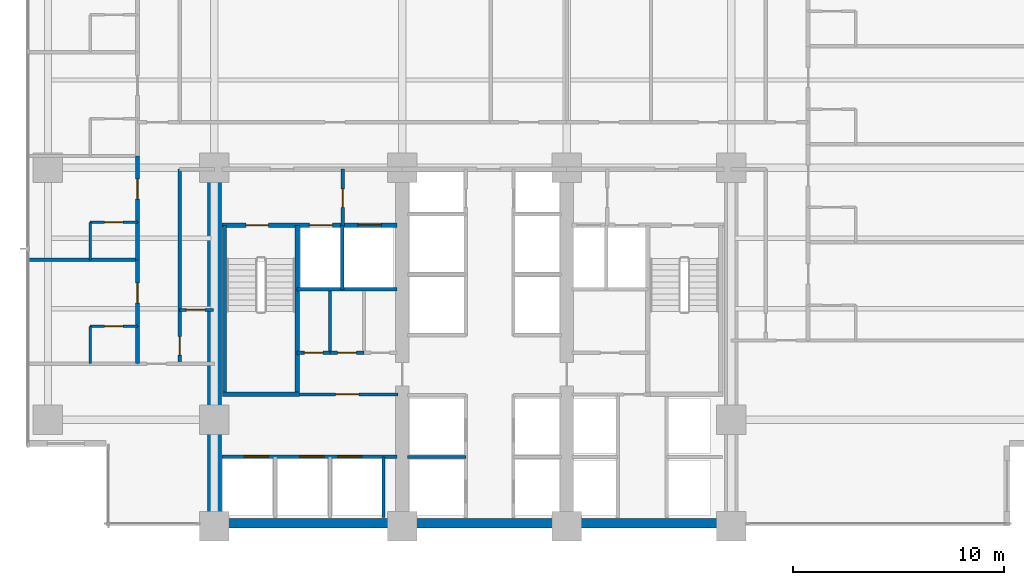
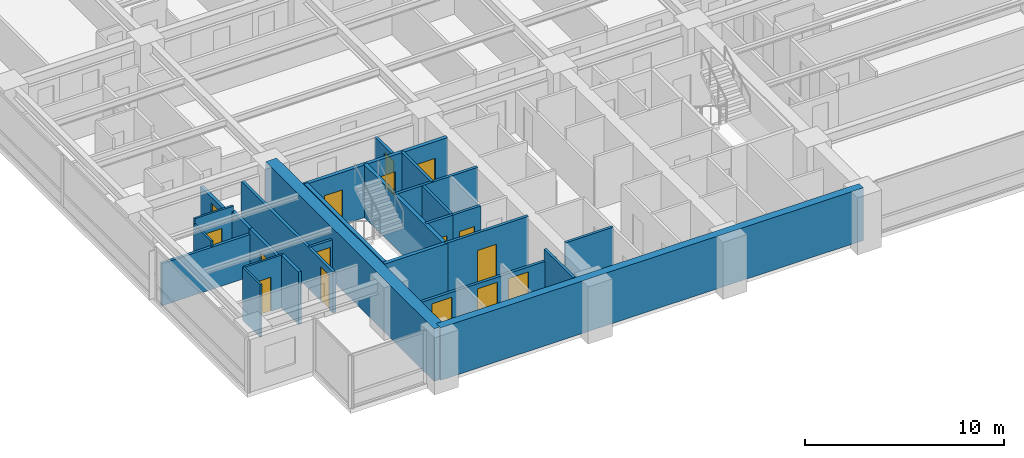
# One storey, part 7 of 17: 27 walls, 16 doors, 16 openings.
"""IFC4 building model written with IfcOpenShell, lengths in metres."""

from ifc_helpers import new_model, si_unit, direction, frame, frame_2d, origin, place, context, subcontext, project, spatial, rectangle, extrude, material, layer, layer_set, type_object, element, fill, save


model = new_model("IFC4")

# Units and contexts
model_context = context("Model", 3, precision=1e-05, world=origin(), true_north=direction((0.0, 1.0)))
body_context = subcontext(model_context, "Body", "Model", "MODEL_VIEW")
ifc_project = project(units=[si_unit("LENGTHUNIT", "METRE"), si_unit("AREAUNIT", "SQUARE_METRE"), si_unit("VOLUMEUNIT", "CUBIC_METRE"), si_unit("PLANEANGLEUNIT", "RADIAN"), si_unit("MASSUNIT", "GRAM", prefix="KILO")], contexts=[model_context])

# Site, building, storey
site_placement = place(None, origin())
site = spatial("IfcSite", under=ifc_project, at=site_placement, CompositionType="ELEMENT")
building_placement = place(site_placement, origin())
building = spatial("IfcBuilding", under=site, at=building_placement, Name="Qalmaran Belvedere Hotel", CompositionType="ELEMENT")
storey_placement = place(building_placement, frame((0.0, 0.0, 61.39990234375)))
storey = spatial("IfcBuildingStorey", under=building, at=storey_placement, Name="L15", CompositionType="ELEMENT", Elevation=61.39990234375)

# Walls
ifc_material_1 = material(Name="Concrete C60/75", Category="concrete")
ifc_layer_1 = layer(ifc_material_1, 0.64990234375, Name="Concrete C60/75")
ifc_layer_set_1 = layer_set([ifc_layer_1], Name="Concrete C60/75")
wall_type_1 = type_object("IfcWallType", Name="WL-CORE-650-C60", PredefinedType="SHEAR", material=ifc_layer_set_1)
wall_1_placement = place(storey_placement, frame((20.300048828125, 3.5, 0.0), z_axis=(0.0, 0.0, 1.0), x_axis=(0.0, 1.0, 0.0)))
element("IfcWall", 1, at=wall_1_placement, inside=storey, type_object=wall_type_1, Name="L15 West Core Shear Wall", PredefinedType="SHEAR", context=body_context, shape_type="SweptSolid", body=[
    extrude(rectangle(XDim=16.89990234375, YDim=0.64990234375, at=frame_2d((8.449951171875, 0.0))), origin(), (0.0, 0.0, 1.0), 3.22021484375),
])
ifc_material_2 = material(Name="Concrete C50/60", Category="concrete")
ifc_layer_2 = layer(ifc_material_2, 0.43994140625, Name="Concrete C50/60")
ifc_layer_set_2 = layer_set([ifc_layer_2], Name="Concrete C50/60")
wall_type_2 = type_object("IfcWallType", Name="WL-CORES-440-EXT", PredefinedType="SHEAR", material=ifc_layer_set_2)
wall_2_placement = place(storey_placement, frame((20.300048828125, 3.6298828125, 0.0), z_axis=(0.0, 0.0, 1.0), x_axis=(1.0, 0.0, 0.0)))
element("IfcWall", 2, at=wall_2_placement, inside=storey, type_object=wall_type_2, Name="L15 South Core Shear Wall", PredefinedType="SHEAR", context=body_context, shape_type="SweptSolid", body=[
    extrude(rectangle(XDim=24.5, YDim=0.43994140625, at=frame_2d((12.25, 0.0))), origin(), (0.0, 0.0, 1.0), 3.22021484375),
])

# Wall, opening, door
ifc_material_3 = material(Name="Moisture-Resistant Gypsum")
ifc_layer_3 = layer(ifc_material_3, 0.1201171875, Name="Moisture-Resistant Gypsum")
ifc_layer_set_3 = layer_set([ifc_layer_3], Name="Moisture-Resistant Gypsum")
wall_type_3 = type_object("IfcWallType", Name="WL-INT-120-BATH", PredefinedType="PARTITIONING", material=ifc_layer_set_3)
wall_3_placement = place(storey_placement, frame((14.39990234375, 12.969970703125, 0.0), z_axis=(0.0, 0.0, 1.0), x_axis=(1.0, 0.0, 0.0)))
wall_3 = element("IfcWall", 3, at=wall_3_placement, inside=storey, type_object=wall_type_3, Name="L15 Partition WL-L15-WBN00", PredefinedType="PARTITIONING", context=body_context, shape_type="SweptSolid", body=[
    extrude(rectangle(XDim=2.25, YDim=0.1201171875, at=frame_2d((1.125, 0.0))), origin(), (0.0, 0.0, 1.0), 3.22021484375),
])
opening_1_placement = place(wall_3_placement, frame((1.56494140625, 0.0, 0.0), z_axis=(0.0, 0.0, 1.0), x_axis=(-1.0, 0.0, 0.0)))
opening_1 = element("IfcOpeningElement", 4, at=opening_1_placement, cuts=wall_3, Name="Opening D-BATH", PredefinedType="OPENING", context=body_context, shape_type="SweptSolid", body=[
    extrude(rectangle(XDim=0.8798828125, YDim=2.080078125, at=frame_2d((0.43994140625, 1.0400390625))), frame((0.0, 0.070068359375, 0.0), z_axis=(0.0, -1.0, 0.0), x_axis=(1.0, 0.0, 0.0)), (0.0, 0.0, 1.0), 0.14013671875),
])
ifc_material_4 = material(Name="Engineered Oak Veneer")
door_type_1 = type_object("IfcDoorType", Name="DR-INT-BATH-880X2080", OperationType="NOTDEFINED", PredefinedType="DOOR", material=ifc_material_4)
door_1_placement = place(opening_1_placement, origin())
door_1 = element("IfcDoor", 5, at=door_1_placement, inside=storey, type_object=door_type_1, Name="L15 W Ensuite Door 01", OperationType="SINGLE_SWING_RIGHT", OverallHeight=2.080078125, OverallWidth=0.8798828125, PredefinedType="DOOR", context=body_context, shape_type="SweptSolid", body=[
    extrude(rectangle(XDim=0.8798828125, YDim=2.080078125, at=frame_2d((0.43994140625, 1.0400390625))), frame((0.0, 0.02490234375, 0.0), z_axis=(0.0, -1.0, 0.0), x_axis=(1.0, 0.0, 0.0)), (0.0, 0.0, 1.0), 0.050048828125),
])
fill(opening_1, door_1)

# Wall
wall_4_placement = place(storey_placement, frame((14.39990234375, 11.199951171875, 0.0), z_axis=(0.0, 0.0, 1.0), x_axis=(0.0, 1.0, 0.0)))
element("IfcWall", 6, at=wall_4_placement, inside=storey, type_object=wall_type_3, Name="L15 Partition WL-L15-WBS00", PredefinedType="PARTITIONING", context=body_context, shape_type="SweptSolid", body=[
    extrude(rectangle(XDim=1.77001953125, YDim=0.1201171875, at=frame_2d((0.885009765625, 0.0))), origin(), (0.0, 0.0, 1.0), 3.22021484375),
])

# Wall, opening, door
wall_5_placement = place(storey_placement, frame((14.39990234375, 17.89501953125, 0.0), z_axis=(0.0, 0.0, 1.0), x_axis=(1.0, 0.0, 0.0)))
wall_5 = element("IfcWall", 7, at=wall_5_placement, inside=storey, type_object=wall_type_3, Name="L15 Partition WL-L15-WBN01", PredefinedType="PARTITIONING", context=body_context, shape_type="SweptSolid", body=[
    extrude(rectangle(XDim=2.25, YDim=0.1201171875, at=frame_2d((1.125, 0.0))), origin(), (0.0, 0.0, 1.0), 3.22021484375),
])
opening_2_placement = place(wall_5_placement, frame((1.56494140625, 0.0, 0.0), z_axis=(0.0, 0.0, 1.0), x_axis=(-1.0, 0.0, 0.0)))
opening_2 = element("IfcOpeningElement", 8, at=opening_2_placement, cuts=wall_5, Name="Opening D-BATH", PredefinedType="OPENING", context=body_context, shape_type="SweptSolid", body=[
    extrude(rectangle(XDim=0.8798828125, YDim=2.080078125, at=frame_2d((0.43994140625, 1.0400390625))), frame((0.0, 0.070068359375, 0.0), z_axis=(0.0, -1.0, 0.0), x_axis=(1.0, 0.0, 0.0)), (0.0, 0.0, 1.0), 0.14013671875),
])
door_2_placement = place(opening_2_placement, origin())
door_2 = element("IfcDoor", 9, at=door_2_placement, inside=storey, type_object=door_type_1, Name="L15 W Ensuite Door 02", OperationType="SINGLE_SWING_RIGHT", OverallHeight=2.080078125, OverallWidth=0.8798828125, PredefinedType="DOOR", context=body_context, shape_type="SweptSolid", body=[
    extrude(rectangle(XDim=0.8798828125, YDim=2.080078125, at=frame_2d((0.43994140625, 1.0400390625))), frame((0.0, 0.02490234375, 0.0), z_axis=(0.0, -1.0, 0.0), x_axis=(1.0, 0.0, 0.0)), (0.0, 0.0, 1.0), 0.050048828125),
])
fill(opening_2, door_2)

# Wall
wall_6_placement = place(storey_placement, frame((14.39990234375, 16.125, 0.0), z_axis=(0.0, 0.0, 1.0), x_axis=(0.0, 1.0, 0.0)))
element("IfcWall", 10, at=wall_6_placement, inside=storey, type_object=wall_type_3, Name="L15 Partition WL-L15-WBS01", PredefinedType="PARTITIONING", context=body_context, shape_type="SweptSolid", body=[
    extrude(rectangle(XDim=1.77001953125, YDim=0.1201171875, at=frame_2d((0.885009765625, 0.0))), origin(), (0.0, 0.0, 1.0), 2.902099609375),
])

# Wall, opening, door
ifc_material_5 = material(Name="Gypsum Stud Partition")
ifc_layer_4 = layer(ifc_material_5, 0.139892578125, Name="Gypsum Stud Partition")
ifc_layer_set_4 = layer_set([ifc_layer_4], Name="Gypsum Stud Partition")
wall_type_4 = type_object("IfcWallType", Name="WL-INT-140-NR", PredefinedType="PARTITIONING", material=ifc_layer_set_4)
wall_7_placement = place(storey_placement, frame((18.64990234375, 13.75, 0.0), z_axis=(0.0, 0.0, 1.0), x_axis=(1.0, 0.0, 0.0)))
wall_7 = element("IfcWall", 11, at=wall_7_placement, inside=storey, type_object=wall_type_4, Name="L15 Partition WL-L15-WCLSUB", PredefinedType="PARTITIONING", context=body_context, shape_type="SweptSolid", body=[
    extrude(rectangle(XDim=1.60009765625, YDim=0.139892578125, at=frame_2d((0.800048828125, 0.0))), origin(), (0.0, 0.0, 1.0), 2.510009765625),
])
opening_3_placement = place(wall_7_placement, frame((1.193115234375, 0.0, 0.0), z_axis=(0.0, 0.0, 1.0), x_axis=(-1.0, 0.0, 0.0)))
opening_3 = element("IfcOpeningElement", 12, at=opening_3_placement, cuts=wall_7, Name="Opening D-BATH", PredefinedType="OPENING", context=body_context, shape_type="SweptSolid", body=[
    extrude(rectangle(XDim=0.8798828125, YDim=2.080078125, at=frame_2d((0.43994140625, 1.0400390625))), frame((0.0, 0.080078125, 0.0), z_axis=(0.0, -1.0, 0.0), x_axis=(1.0, 0.0, 0.0)), (0.0, 0.0, 1.0), 0.159912109375),
])
door_3_placement = place(opening_3_placement, origin())
door_3 = element("IfcDoor", 13, at=door_3_placement, inside=storey, type_object=door_type_1, Name="L15 Closet Alcove Door", OperationType="SINGLE_SWING_LEFT", OverallHeight=2.080078125, OverallWidth=0.8798828125, PredefinedType="DOOR", context=body_context, shape_type="SweptSolid", body=[
    extrude(rectangle(XDim=0.8798828125, YDim=2.080078125, at=frame_2d((0.43994140625, 1.0400390625))), frame((0.0, 0.02490234375, 0.0), z_axis=(0.0, -1.0, 0.0), x_axis=(1.0, 0.0, 0.0)), (0.0, 0.0, 1.0), 0.050048828125),
])
fill(opening_3, door_3)

# Walls
ifc_layer_5 = layer(ifc_material_5, 0.14990234375, Name="Gypsum Stud Partition")
ifc_layer_set_5 = layer_set([ifc_layer_5], Name="Gypsum Stud Partition")
wall_type_5 = type_object("IfcWallType", Name="WL-INT-150-EI120", PredefinedType="PARTITIONING", material=ifc_layer_set_5)
wall_8_placement = place(storey_placement, frame((26.360107421875, 14.719970703125, 0.0), z_axis=(0.0, 0.0, 1.0), x_axis=(0.0, 1.0, 0.0)))
element("IfcWall", 14, at=wall_8_placement, inside=storey, type_object=wall_type_5, Name="L15 Partition WL-FF1M-L15", PredefinedType="PARTITIONING", context=body_context, shape_type="SweptSolid", body=[
    extrude(rectangle(XDim=3.0400390625, YDim=0.14990234375, at=frame_2d((1.52001953125, 0.0))), origin(), (0.0, 0.0, 1.0), 3.22021484375),
])
wall_9_placement = place(storey_placement, frame((28.320068359375, 3.89990234375, 0.0), z_axis=(0.0, 0.0, 1.0), x_axis=(0.0, 1.0, 0.0)))
element("IfcWall", 15, at=wall_9_placement, inside=storey, type_object=wall_type_5, Name="L15 Partition WL-POM3-L15", PredefinedType="PARTITIONING", context=body_context, shape_type="SweptSolid", body=[
    extrude(rectangle(XDim=2.880126953125, YDim=0.14990234375, at=frame_2d((1.43994140625, 0.0))), origin(), (0.0, 0.0, 1.0), 3.22021484375),
])
wall_10_placement = place(storey_placement, frame((29.449951171875, 6.780029296875, 0.0), z_axis=(0.0, 0.0, 1.0), x_axis=(1.0, 0.0, 0.0)))
element("IfcWall", 16, at=wall_10_placement, inside=storey, type_object=wall_type_5, Name="L15 Partition WL-PLW-L15-67", PredefinedType="PARTITIONING", context=body_context, shape_type="SweptSolid", body=[
    extrude(rectangle(XDim=2.77001953125, YDim=0.14990234375, at=frame_2d((1.385009765625, 0.0))), origin(), (0.0, 0.0, 1.0), 3.22021484375),
])
ifc_layer_6 = layer(ifc_material_5, 0.14990234375, Name="Gypsum Stud Partition")
ifc_layer_set_6 = layer_set([ifc_layer_6], Name="Gypsum Stud Partition")
wall_type_6 = type_object("IfcWallType", Name="WL-INT-150-EI60", PredefinedType="PARTITIONING", material=ifc_layer_set_6)
wall_11_placement = place(storey_placement, frame((25.781005859375, 11.719970703125, 0.0), z_axis=(0.0, 0.0, 1.0), x_axis=(0.0, 1.0, 0.0)))
element("IfcWall", 17, at=wall_11_placement, inside=storey, type_object=wall_type_6, Name="L15 Partition WL-L15-KWV1", PredefinedType="PARTITIONING", context=body_context, shape_type="SweptSolid", body=[
    extrude(rectangle(XDim=2.929931640625, YDim=0.14990234375, at=frame_2d((1.46484375, 0.0))), origin(), (0.0, 0.0, 1.0), 3.22021484375),
])

# Wall, opening, door
ifc_layer_7 = layer(ifc_material_5, 0.159912109375, Name="Gypsum Stud Partition")
ifc_layer_set_7 = layer_set([ifc_layer_7], Name="Gypsum Stud Partition")
wall_type_7 = type_object("IfcWallType", Name="WL-INT-160-EI120", PredefinedType="PARTITIONING", material=ifc_layer_set_7)
wall_12_placement = place(storey_placement, frame((26.3798828125, 17.760009765625, 0.0), z_axis=(0.0, 0.0, 1.0), x_axis=(0.0, 1.0, 0.0)))
wall_12 = element("IfcWall", 18, at=wall_12_placement, inside=storey, type_object=wall_type_7, Name="L15 Partition WL-FFSV1-L15", PredefinedType="PARTITIONING", context=body_context, shape_type="SweptSolid", body=[
    extrude(rectangle(XDim=2.659912109375, YDim=0.159912109375, at=frame_2d((1.330078125, 0.0))), origin(), (0.0, 0.0, 1.0), 2.510009765625),
])
opening_4_placement = place(wall_12_placement, frame((0.85009765625, 0.0, 0.0)))
opening_4 = element("IfcOpeningElement", 19, at=opening_4_placement, cuts=wall_12, Name="Opening FD60B", PredefinedType="OPENING", context=body_context, shape_type="SweptSolid", body=[
    extrude(rectangle(XDim=0.8798828125, YDim=2.080078125, at=frame_2d((0.43994140625, 1.0400390625))), frame((0.0, 0.08984375, 0.0), z_axis=(0.0, -1.0, 0.0), x_axis=(1.0, 0.0, 0.0)), (0.0, 0.0, 1.0), 0.179931640625),
])
ifc_material_6 = material(Name="Steel S355JR", Category="steel")
door_type_2 = type_object("IfcDoorType", Name="DR-FD60B-880X2080", OperationType="NOTDEFINED", PredefinedType="DOOR", material=ifc_material_6)
door_4_placement = place(opening_4_placement, origin())
door_4 = element("IfcDoor", 20, at=door_4_placement, inside=storey, type_object=door_type_2, Name="L15 Service Lobby West Door", OperationType="SINGLE_SWING_LEFT", OverallHeight=2.080078125, OverallWidth=0.8798828125, PredefinedType="DOOR", context=body_context, shape_type="SweptSolid", body=[
    extrude(rectangle(XDim=0.8798828125, YDim=2.080078125, at=frame_2d((0.43994140625, 1.0400390625))), frame((0.0, 0.02490234375, 0.0), z_axis=(0.0, -1.0, 0.0), x_axis=(1.0, 0.0, 0.0)), (0.0, 0.0, 1.0), 0.050048828125),
])
fill(opening_4, door_4)

# Wall
wall_13_placement = place(storey_placement, frame((24.219970703125, 14.719970703125, 0.0), z_axis=(0.0, 0.0, 1.0), x_axis=(1.0, 0.0, 0.0)))
element("IfcWall", 21, at=wall_13_placement, inside=storey, type_object=wall_type_7, Name="L15 Partition WL-FF1S-L15", PredefinedType="PARTITIONING", context=body_context, shape_type="SweptSolid", body=[
    extrude(rectangle(XDim=4.72998046875, YDim=0.159912109375, at=frame_2d((2.364990234375, 0.0))), origin(), (0.0, 0.0, 1.0), 3.22021484375),
])

# Wall, openings, doors
wall_14_placement = place(storey_placement, frame((20.64990234375, 6.780029296875, 0.0), z_axis=(0.0, 0.0, 1.0), x_axis=(1.0, 0.0, 0.0)))
wall_14 = element("IfcWall", 22, at=wall_14_placement, inside=storey, type_object=wall_type_7, Name="L15 Partition WL-POS-L15", PredefinedType="PARTITIONING", context=body_context, shape_type="SweptSolid", body=[
    extrude(rectangle(XDim=8.300048828125, YDim=0.159912109375, at=frame_2d((4.14990234375, 0.0))), origin(), (0.0, 0.0, 1.0), 2.510009765625),
])
opening_5_placement = place(wall_14_placement, frame((3.69482421875, 0.0, 0.0)))
opening_5 = element("IfcOpeningElement", 23, at=opening_5_placement, cuts=wall_14, Name="Opening LD-PO", PredefinedType="OPENING", context=body_context, shape_type="SweptSolid", body=[
    extrude(rectangle(XDim=1.14990234375, YDim=2.199951171875, at=frame_2d((0.574951171875, 1.10009765625))), frame((0.0, 0.08984375, 0.0), z_axis=(0.0, -1.0, 0.0), x_axis=(1.0, 0.0, 0.0)), (0.0, 0.0, 1.0), 0.179931640625),
])
opening_6_placement = place(wall_14_placement, frame((5.4921875, 0.0, 0.0)))
opening_6 = element("IfcOpeningElement", 24, at=opening_6_placement, cuts=wall_14, Name="Opening LD-PO", PredefinedType="OPENING", context=body_context, shape_type="SweptSolid", body=[
    extrude(rectangle(XDim=1.14990234375, YDim=2.199951171875, at=frame_2d((0.574951171875, 1.10009765625))), frame((0.0, 0.08984375, 0.0), z_axis=(0.0, -1.0, 0.0), x_axis=(1.0, 0.0, 0.0)), (0.0, 0.0, 1.0), 0.179931640625),
])
opening_7_placement = place(wall_14_placement, frame((1.058837890625, 0.0, 0.0)))
opening_7 = element("IfcOpeningElement", 25, at=opening_7_placement, cuts=wall_14, Name="Opening LD-PO", PredefinedType="OPENING", context=body_context, shape_type="SweptSolid", body=[
    extrude(rectangle(XDim=1.14990234375, YDim=2.199951171875, at=frame_2d((0.574951171875, 1.10009765625))), frame((0.0, 0.08984375, 0.0), z_axis=(0.0, -1.0, 0.0), x_axis=(1.0, 0.0, 0.0)), (0.0, 0.0, 1.0), 0.179931640625),
])
ifc_material_7 = material(Name="Anodised Bronze Aluminium", Category="aluminium")
door_type_3 = type_object("IfcDoorType", Name="DR-LIFT-PO-1150X2200", OperationType="DOUBLE_DOOR_SLIDING", PredefinedType="DOOR", material=ifc_material_7)
door_5_placement = place(opening_5_placement, origin())
door_5 = element("IfcDoor", 26, at=door_5_placement, inside=storey, type_object=door_type_3, Name="L15 PO1 Shuttle Landing Door", OperationType="DOUBLE_DOOR_SLIDING", OverallHeight=2.199951171875, OverallWidth=1.14990234375, PredefinedType="DOOR", context=body_context, shape_type="SweptSolid", body=[
    extrude(rectangle(XDim=1.14990234375, YDim=2.199951171875, at=frame_2d((0.574951171875, 1.10009765625))), frame((0.0, 0.02490234375, 0.0), z_axis=(0.0, -1.0, 0.0), x_axis=(1.0, 0.0, 0.0)), (0.0, 0.0, 1.0), 0.050048828125),
])
fill(opening_5, door_5)
door_6_placement = place(opening_6_placement, origin())
door_6 = element("IfcDoor", 27, at=door_6_placement, inside=storey, type_object=door_type_3, Name="L15 PO2 Shuttle Landing Door", OperationType="DOUBLE_DOOR_SLIDING", OverallHeight=2.199951171875, OverallWidth=1.14990234375, PredefinedType="DOOR", context=body_context, shape_type="SweptSolid", body=[
    extrude(rectangle(XDim=1.14990234375, YDim=2.199951171875, at=frame_2d((0.574951171875, 1.10009765625))), frame((0.0, 0.02490234375, 0.0), z_axis=(0.0, -1.0, 0.0), x_axis=(1.0, 0.0, 0.0)), (0.0, 0.0, 1.0), 0.050048828125),
])
fill(opening_6, door_6)
door_7_placement = place(opening_7_placement, origin())
door_7 = element("IfcDoor", 28, at=door_7_placement, inside=storey, type_object=door_type_3, Name="L15 PO3 Shuttle Landing Door", OperationType="DOUBLE_DOOR_SLIDING", OverallHeight=2.199951171875, OverallWidth=1.14990234375, PredefinedType="DOOR", context=body_context, shape_type="SweptSolid", body=[
    extrude(rectangle(XDim=1.14990234375, YDim=2.199951171875, at=frame_2d((0.574951171875, 1.10009765625))), frame((0.0, 0.02490234375, 0.0), z_axis=(0.0, -1.0, 0.0), x_axis=(1.0, 0.0, 0.0)), (0.0, 0.0, 1.0), 0.050048828125),
])
fill(opening_7, door_7)

# Wall, opening, door
wall_15_placement = place(storey_placement, frame((24.199951171875, 9.739990234375, 0.0), z_axis=(0.0, 0.0, 1.0), x_axis=(1.0, 0.0, 0.0)))
wall_15 = element("IfcWall", 29, at=wall_15_placement, inside=storey, type_object=wall_type_7, Name="L15 Partition WL-PON-L15", PredefinedType="PARTITIONING", context=body_context, shape_type="SweptSolid", body=[
    extrude(rectangle(XDim=4.800048828125, YDim=0.159912109375, at=frame_2d((2.39990234375, 0.0))), origin(), (0.0, 0.0, 1.0), 3.22021484375),
])
opening_8_placement = place(wall_15_placement, frame((1.85009765625, 0.0, 0.0)))
opening_8 = element("IfcOpeningElement", 30, at=opening_8_placement, cuts=wall_15, Name="Opening FD90", PredefinedType="OPENING", context=body_context, shape_type="SweptSolid", body=[
    extrude(rectangle(XDim=1.10009765625, YDim=2.14990234375, at=frame_2d((0.550048828125, 1.074951171875))), frame((0.0, 0.08984375, 0.0), z_axis=(0.0, -1.0, 0.0), x_axis=(1.0, 0.0, 0.0)), (0.0, 0.0, 1.0), 0.179931640625),
])
door_type_4 = type_object("IfcDoorType", Name="DR-FD90-1100X2150", OperationType="NOTDEFINED", PredefinedType="DOOR", material=ifc_material_6)
door_8_placement = place(opening_8_placement, origin())
door_8 = element("IfcDoor", 31, at=door_8_placement, inside=storey, type_object=door_type_4, Name="L15 Shuttle Lobby Passage Door", OperationType="SINGLE_SWING_RIGHT", OverallHeight=2.14990234375, OverallWidth=1.10009765625, PredefinedType="DOOR", context=body_context, shape_type="SweptSolid", body=[
    extrude(rectangle(XDim=1.10009765625, YDim=2.14990234375, at=frame_2d((0.550048828125, 1.074951171875))), frame((0.0, 0.02490234375, 0.0), z_axis=(0.0, -1.0, 0.0), x_axis=(1.0, 0.0, 0.0)), (0.0, 0.0, 1.0), 0.050048828125),
])
fill(opening_8, door_8)

ifc_layer_8 = layer(ifc_material_5, 0.159912109375, Name="Gypsum Stud Partition")
ifc_layer_set_8 = layer_set([ifc_layer_8], Name="Gypsum Stud Partition")
wall_type_8 = type_object("IfcWallType", Name="WL-INT-160-EI60", PredefinedType="PARTITIONING", material=ifc_layer_set_8)
wall_16_placement = place(storey_placement, frame((24.219970703125, 11.719970703125, 0.0), z_axis=(0.0, 0.0, 1.0), x_axis=(1.0, 0.0, 0.0)))
wall_16 = element("IfcWall", 32, at=wall_16_placement, inside=storey, type_object=wall_type_8, Name="L15 Partition WL-L15-KWE1", PredefinedType="PARTITIONING", context=body_context, shape_type="SweptSolid", body=[
    extrude(rectangle(XDim=1.56103515625, YDim=0.159912109375, at=frame_2d((0.780517578125, 0.0))), origin(), (0.0, 0.0, 1.0), 3.22021484375),
])
opening_9_placement = place(wall_16_placement, frame((0.340576171875, 0.0, 0.0)))
opening_9 = element("IfcOpeningElement", 33, at=opening_9_placement, cuts=wall_16, Name="Opening FD60B", PredefinedType="OPENING", context=body_context, shape_type="SweptSolid", body=[
    extrude(rectangle(XDim=0.8798828125, YDim=2.080078125, at=frame_2d((0.43994140625, 1.0400390625))), frame((0.0, 0.08984375, 0.0), z_axis=(0.0, -1.0, 0.0), x_axis=(1.0, 0.0, 0.0)), (0.0, 0.0, 1.0), 0.179931640625),
])
door_9_placement = place(opening_9_placement, origin())
door_9 = element("IfcDoor", 34, at=door_9_placement, inside=storey, type_object=door_type_2, Name="L15 Staff Core WC Door", OperationType="SINGLE_SWING_RIGHT", OverallHeight=2.080078125, OverallWidth=0.8798828125, PredefinedType="DOOR", context=body_context, shape_type="SweptSolid", body=[
    extrude(rectangle(XDim=0.8798828125, YDim=2.080078125, at=frame_2d((0.43994140625, 1.0400390625))), frame((0.0, 0.02490234375, 0.0), z_axis=(0.0, -1.0, 0.0), x_axis=(1.0, 0.0, 0.0)), (0.0, 0.0, 1.0), 0.050048828125),
])
fill(opening_9, door_9)

wall_17_placement = place(storey_placement, frame((25.781005859375, 11.719970703125, 0.0), z_axis=(0.0, 0.0, 1.0), x_axis=(1.0, 0.0, 0.0)))
wall_17 = element("IfcWall", 35, at=wall_17_placement, inside=storey, type_object=wall_type_8, Name="L15 Partition WL-L15-KWE2", PredefinedType="PARTITIONING", context=body_context, shape_type="SweptSolid", body=[
    extrude(rectangle(XDim=1.608154296875, YDim=0.159912109375, at=frame_2d((0.80419921875, 0.0))), origin(), (0.0, 0.0, 1.0), 3.22021484375),
])
opening_10_placement = place(wall_17_placement, frame((0.364013671875, 0.0, 0.0)))
opening_10 = element("IfcOpeningElement", 36, at=opening_10_placement, cuts=wall_17, Name="Opening FD60B", PredefinedType="OPENING", context=body_context, shape_type="SweptSolid", body=[
    extrude(rectangle(XDim=0.8798828125, YDim=2.080078125, at=frame_2d((0.43994140625, 1.0400390625))), frame((0.0, 0.08984375, 0.0), z_axis=(0.0, -1.0, 0.0), x_axis=(1.0, 0.0, 0.0)), (0.0, 0.0, 1.0), 0.179931640625),
])
door_10_placement = place(opening_10_placement, origin())
door_10 = element("IfcDoor", 37, at=door_10_placement, inside=storey, type_object=door_type_2, Name="L15 Electrical Distribution Room Door", OperationType="SINGLE_SWING_LEFT", OverallHeight=2.080078125, OverallWidth=0.8798828125, PredefinedType="DOOR", context=body_context, shape_type="SweptSolid", body=[
    extrude(rectangle(XDim=0.8798828125, YDim=2.080078125, at=frame_2d((0.43994140625, 1.0400390625))), frame((0.0, 0.02490234375, 0.0), z_axis=(0.0, -1.0, 0.0), x_axis=(1.0, 0.0, 0.0)), (0.0, 0.0, 1.0), 0.050048828125),
])
fill(opening_10, door_10)

wall_18_placement = place(storey_placement, frame((18.64990234375, 11.199951171875, 0.0), z_axis=(0.0, 0.0, 1.0), x_axis=(0.0, 1.0, 0.0)))
wall_18 = element("IfcWall", 38, at=wall_18_placement, inside=storey, type_object=wall_type_8, Name="L15 Partition WL-L15-WCL", PredefinedType="PARTITIONING", context=body_context, shape_type="SweptSolid", body=[
    extrude(rectangle(XDim=9.219970703125, YDim=0.159912109375, at=frame_2d((4.60986328125, 0.0))), origin(), (0.0, 0.0, 1.0), 2.510009765625),
])
opening_11_placement = place(wall_18_placement, frame((1.27978515625, 0.0, 0.0), z_axis=(0.0, 0.0, 1.0), x_axis=(-1.0, 0.0, 0.0)))
opening_11 = element("IfcOpeningElement", 39, at=opening_11_placement, cuts=wall_18, Name="Opening FD60B", PredefinedType="OPENING", context=body_context, shape_type="SweptSolid", body=[
    extrude(rectangle(XDim=0.8798828125, YDim=2.080078125, at=frame_2d((0.43994140625, 1.0400390625))), frame((0.0, 0.08984375, 0.0), z_axis=(0.0, -1.0, 0.0), x_axis=(1.0, 0.0, 0.0)), (0.0, 0.0, 1.0), 0.179931640625),
])
door_11_placement = place(opening_11_placement, origin())
door_11 = element("IfcDoor", 40, at=door_11_placement, inside=storey, type_object=door_type_2, Name="L15 West Closet Door", OperationType="SINGLE_SWING_RIGHT", OverallHeight=2.080078125, OverallWidth=0.8798828125, PredefinedType="DOOR", context=body_context, shape_type="SweptSolid", body=[
    extrude(rectangle(XDim=0.8798828125, YDim=2.080078125, at=frame_2d((0.43994140625, 1.0400390625))), frame((0.0, 0.02490234375, 0.0), z_axis=(0.0, -1.0, 0.0), x_axis=(1.0, 0.0, 0.0)), (0.0, 0.0, 1.0), 0.050048828125),
])
fill(opening_11, door_11)

# Walls
wall_19_placement = place(storey_placement, frame((11.469970703125, 16.125, 0.0), z_axis=(0.0, 0.0, 1.0), x_axis=(1.0, 0.0, 0.0)))
element("IfcWall", 41, at=wall_19_placement, inside=storey, type_object=wall_type_8, Name="L15 Partition WL-L15-WU00", PredefinedType="PARTITIONING", context=body_context, shape_type="SweptSolid", body=[
    extrude(rectangle(XDim=5.179931640625, YDim=0.159912109375, at=frame_2d((2.58984375, 0.0))), origin(), (0.0, 0.0, 1.0), 2.5830078125),
])
ifc_layer_9 = layer(ifc_material_5, 0.179931640625, Name="Gypsum Stud Partition")
ifc_layer_set_9 = layer_set([ifc_layer_9], Name="Gypsum Stud Partition")
wall_type_9 = type_object("IfcWallType", Name="WL-INT-180-EI60", PredefinedType="PARTITIONING", material=ifc_layer_set_9)
wall_20_placement = place(storey_placement, frame((16.64990234375, 11.199951171875, 0.0), z_axis=(0.0, 0.0, 1.0), x_axis=(0.0, 1.0, 0.0)))
element("IfcWall", 42, at=wall_20_placement, inside=storey, type_object=wall_type_9, Name="L15 Partition WL-L15-WBC00", PredefinedType="PARTITIONING", context=body_context, shape_type="SweptSolid", body=[
    extrude(rectangle(XDim=1.77001953125, YDim=0.179931640625, at=frame_2d((0.885009765625, 0.0))), origin(), (0.0, 0.0, 1.0), 3.22021484375),
])

# Wall, opening, door
wall_21_placement = place(storey_placement, frame((16.64990234375, 12.969970703125, 0.0), z_axis=(0.0, 0.0, 1.0), x_axis=(0.0, 1.0, 0.0)))
wall_21 = element("IfcWall", 43, at=wall_21_placement, inside=storey, type_object=wall_type_9, Name="L15 Partition WL-L15-WEC00", PredefinedType="PARTITIONING", context=body_context, shape_type="SweptSolid", body=[
    extrude(rectangle(XDim=3.155029296875, YDim=0.179931640625, at=frame_2d((1.57763671875, 0.0))), origin(), (0.0, 0.0, 1.0), 2.902099609375),
])
opening_12_placement = place(wall_21_placement, frame((1.1025390625, 0.0, 0.0)))
opening_12 = element("IfcOpeningElement", 44, at=opening_12_placement, cuts=wall_21, Name="Opening FD60", PredefinedType="OPENING", context=body_context, shape_type="SweptSolid", body=[
    extrude(rectangle(XDim=0.949951171875, YDim=2.14990234375, at=frame_2d((0.47509765625, 1.074951171875))), frame((0.0, 0.10009765625, 0.0), z_axis=(0.0, -1.0, 0.0), x_axis=(1.0, 0.0, 0.0)), (0.0, 0.0, 1.0), 0.199951171875),
])
door_type_5 = type_object("IfcDoorType", Name="DR-FD60-950X2150", OperationType="NOTDEFINED", PredefinedType="DOOR", material=ifc_material_4)
door_12_placement = place(opening_12_placement, origin())
door_12 = element("IfcDoor", 45, at=door_12_placement, inside=storey, type_object=door_type_5, Name="L15 W Wing Door 01", OperationType="SINGLE_SWING_LEFT", OverallHeight=2.14990234375, OverallWidth=0.949951171875, PredefinedType="DOOR", context=body_context, shape_type="SweptSolid", body=[
    extrude(rectangle(XDim=0.949951171875, YDim=2.14990234375, at=frame_2d((0.47509765625, 1.074951171875))), frame((0.0, 0.02490234375, 0.0), z_axis=(0.0, -1.0, 0.0), x_axis=(1.0, 0.0, 0.0)), (0.0, 0.0, 1.0), 0.050048828125),
])
fill(opening_12, door_12)

# Wall
wall_22_placement = place(storey_placement, frame((16.64990234375, 16.125, 0.0), z_axis=(0.0, 0.0, 1.0), x_axis=(0.0, 1.0, 0.0)))
element("IfcWall", 46, at=wall_22_placement, inside=storey, type_object=wall_type_9, Name="L15 Partition WL-L15-WBC01", PredefinedType="PARTITIONING", context=body_context, shape_type="SweptSolid", body=[
    extrude(rectangle(XDim=1.77001953125, YDim=0.179931640625, at=frame_2d((0.885009765625, 0.0))), origin(), (0.0, 0.0, 1.0), 2.902099609375),
])

# Wall, opening, door
wall_23_placement = place(storey_placement, frame((16.64990234375, 17.89501953125, 0.0), z_axis=(0.0, 0.0, 1.0), x_axis=(0.0, 1.0, 0.0)))
wall_23 = element("IfcWall", 47, at=wall_23_placement, inside=storey, type_object=wall_type_9, Name="L15 Partition WL-L15-WEC01", PredefinedType="PARTITIONING", context=body_context, shape_type="SweptSolid", body=[
    extrude(rectangle(XDim=3.155029296875, YDim=0.179931640625, at=frame_2d((1.57763671875, 0.0))), origin(), (0.0, 0.0, 1.0), 2.510009765625),
])
opening_13_placement = place(wall_23_placement, frame((1.1025390625, 0.0, 0.0)))
opening_13 = element("IfcOpeningElement", 48, at=opening_13_placement, cuts=wall_23, Name="Opening FD60", PredefinedType="OPENING", context=body_context, shape_type="SweptSolid", body=[
    extrude(rectangle(XDim=0.949951171875, YDim=2.14990234375, at=frame_2d((0.47509765625, 1.074951171875))), frame((0.0, 0.10009765625, 0.0), z_axis=(0.0, -1.0, 0.0), x_axis=(1.0, 0.0, 0.0)), (0.0, 0.0, 1.0), 0.199951171875),
])
door_13_placement = place(opening_13_placement, origin())
door_13 = element("IfcDoor", 49, at=door_13_placement, inside=storey, type_object=door_type_5, Name="L15 W Wing Door 02", OperationType="SINGLE_SWING_LEFT", OverallHeight=2.14990234375, OverallWidth=0.949951171875, PredefinedType="DOOR", context=body_context, shape_type="SweptSolid", body=[
    extrude(rectangle(XDim=0.949951171875, YDim=2.14990234375, at=frame_2d((0.47509765625, 1.074951171875))), frame((0.0, 0.02490234375, 0.0), z_axis=(0.0, -1.0, 0.0), x_axis=(1.0, 0.0, 0.0)), (0.0, 0.0, 1.0), 0.050048828125),
])
fill(opening_13, door_13)

# Walls
ifc_layer_10 = layer(ifc_material_2, 0.2099609375, Name="Concrete C50/60")
ifc_layer_set_10 = layer_set([ifc_layer_10], Name="Concrete C50/60")
wall_type_10 = type_object("IfcWallType", Name="WL-STAIR-210-C50", PredefinedType="SHEAR", material=ifc_layer_set_10)
for number, where, z_axis, x_axis, name in (
    (50, (20.77490234375, 9.7451171875, 0.0), (0.0, 0.0, 1.0), (0.0, 1.0, 0.0), "L15 Stair ST-1 West Bearing Wall"),
    (51, (24.22509765625, 9.7451171875, 0.0), (0.0, 0.0, 1.0), (0.0, 1.0, 0.0), "L15 Stair ST-1 East Bearing Wall"),
):
    element("IfcWall", number, at=place(storey_placement, frame(where, z_axis=z_axis, x_axis=x_axis)), inside=storey, type_object=wall_type_10, Name=name, PredefinedType="SHEAR", context=body_context, shape_type="SweptSolid", body=[
        extrude(rectangle(XDim=8.009765625, YDim=0.2099609375, at=frame_2d((4.0048828125, 0.0))), origin(), (0.0, 0.0, 1.0), 3.22021484375),
    ])
wall_24_placement = place(storey_placement, frame((20.669921875, 9.7451171875, 0.0), z_axis=(0.0, 0.0, 1.0), x_axis=(1.0, 0.0, 0.0)))
element("IfcWall", 52, at=wall_24_placement, inside=storey, type_object=wall_type_10, Name="L15 Stair ST-1 South Bearing Wall", PredefinedType="SHEAR", context=body_context, shape_type="SweptSolid", body=[
    extrude(rectangle(XDim=3.66015625, YDim=0.2099609375, at=frame_2d((1.830078125, 0.0))), origin(), (0.0, 0.0, 1.0), 3.22021484375),
])

# Wall, openings, doors
wall_25_placement = place(storey_placement, frame((20.64990234375, 17.7548828125, 0.0), z_axis=(0.0, 0.0, 1.0), x_axis=(1.0, 0.0, 0.0)))
wall_25 = element("IfcWall", 53, at=wall_25_placement, inside=storey, type_object=wall_type_10, Name="L15 West Lobby and Stair ST-1 North Bearing Wall", PredefinedType="SHEAR", context=body_context, shape_type="SweptSolid", body=[
    extrude(rectangle(XDim=8.300048828125, YDim=0.2099609375, at=frame_2d((4.14990234375, 0.0))), origin(), (0.0, 0.0, 1.0), 3.22021484375),
])
opening_14_placement = place(wall_25_placement, frame((2.199951171875, 0.0, 0.0), z_axis=(0.0, 0.0, 1.0), x_axis=(-1.0, 0.0, 0.0)))
opening_14 = element("IfcOpeningElement", 54, at=opening_14_placement, cuts=wall_25, Name="Opening FD90S2", PredefinedType="OPENING", context=body_context, shape_type="SweptSolid", body=[
    extrude(rectangle(XDim=1.050048828125, YDim=2.14990234375, at=frame_2d((0.52490234375, 1.074951171875))), frame((0.0, 0.114990234375, 0.0), z_axis=(0.0, -1.0, 0.0), x_axis=(1.0, 0.0, 0.0)), (0.0, 0.0, 1.0), 0.22998046875),
])
opening_15_placement = place(wall_25_placement, frame((4.14990234375, 0.0, 0.0)))
opening_15 = element("IfcOpeningElement", 55, at=opening_15_placement, cuts=wall_25, Name="Opening LD-FF", PredefinedType="OPENING", context=body_context, shape_type="SweptSolid", body=[
    extrude(rectangle(XDim=1.10009765625, YDim=2.179931640625, at=frame_2d((0.550048828125, 1.08984375))), frame((0.0, 0.114990234375, 0.0), z_axis=(0.0, -1.0, 0.0), x_axis=(1.0, 0.0, 0.0)), (0.0, 0.0, 1.0), 0.22998046875),
])
opening_16_placement = place(wall_25_placement, frame((6.449951171875, 0.0, 0.0)))
opening_16 = element("IfcOpeningElement", 56, at=opening_16_placement, cuts=wall_25, Name="Opening LD-SV", PredefinedType="OPENING", context=body_context, shape_type="SweptSolid", body=[
    extrude(rectangle(XDim=1.1201171875, YDim=2.199951171875, at=frame_2d((0.56005859375, 1.10009765625))), frame((0.0, 0.114990234375, 0.0), z_axis=(0.0, -1.0, 0.0), x_axis=(1.0, 0.0, 0.0)), (0.0, 0.0, 1.0), 0.22998046875),
])
door_type_6 = type_object("IfcDoorType", Name="DR-FD90S-1050X2150", OperationType="NOTDEFINED", PredefinedType="DOOR", material=ifc_material_6)
door_14_placement = place(opening_14_placement, origin())
door_14 = element("IfcDoor", 57, at=door_14_placement, inside=storey, type_object=door_type_6, Name="L15 Stair ST-1 Door", OperationType="SINGLE_SWING_LEFT", OverallHeight=2.14990234375, OverallWidth=1.050048828125, PredefinedType="DOOR", context=body_context, shape_type="SweptSolid", body=[
    extrude(rectangle(XDim=1.050048828125, YDim=2.14990234375, at=frame_2d((0.52490234375, 1.074951171875))), frame((0.0, 0.02490234375, 0.0), z_axis=(0.0, -1.0, 0.0), x_axis=(1.0, 0.0, 0.0)), (0.0, 0.0, 1.0), 0.050048828125),
])
fill(opening_14, door_14)
ifc_material_8 = material(Name="Stainless Steel 1.4401", Category="steel")
door_type_7 = type_object("IfcDoorType", Name="DR-LIFT-FF-1100X2180", OperationType="DOUBLE_DOOR_SLIDING", PredefinedType="DOOR", material=ifc_material_8)
door_15_placement = place(opening_15_placement, origin())
door_15 = element("IfcDoor", 58, at=door_15_placement, inside=storey, type_object=door_type_7, Name="L15 FF1 Lift Landing Door", OperationType="DOUBLE_DOOR_SLIDING", OverallHeight=2.179931640625, OverallWidth=1.10009765625, PredefinedType="DOOR", context=body_context, shape_type="SweptSolid", body=[
    extrude(rectangle(XDim=1.10009765625, YDim=2.179931640625, at=frame_2d((0.550048828125, 1.08984375))), frame((0.0, 0.02490234375, 0.0), z_axis=(0.0, -1.0, 0.0), x_axis=(1.0, 0.0, 0.0)), (0.0, 0.0, 1.0), 0.050048828125),
])
fill(opening_15, door_15)
door_type_8 = type_object("IfcDoorType", Name="DR-LIFT-SV-1120X2200", OperationType="DOUBLE_DOOR_SLIDING", PredefinedType="DOOR", material=ifc_material_8)
door_16_placement = place(opening_16_placement, origin())
door_16 = element("IfcDoor", 59, at=door_16_placement, inside=storey, type_object=door_type_8, Name="L15 SV1 Lift Landing Door", OperationType="DOUBLE_DOOR_SLIDING", OverallHeight=2.199951171875, OverallWidth=1.1201171875, PredefinedType="DOOR", context=body_context, shape_type="SweptSolid", body=[
    extrude(rectangle(XDim=1.1201171875, YDim=2.199951171875, at=frame_2d((0.56005859375, 1.10009765625))), frame((0.0, 0.02490234375, 0.0), z_axis=(0.0, -1.0, 0.0), x_axis=(1.0, 0.0, 0.0)), (0.0, 0.0, 1.0), 0.050048828125),
])
fill(opening_16, door_16)

save(model, "model.ifc")
